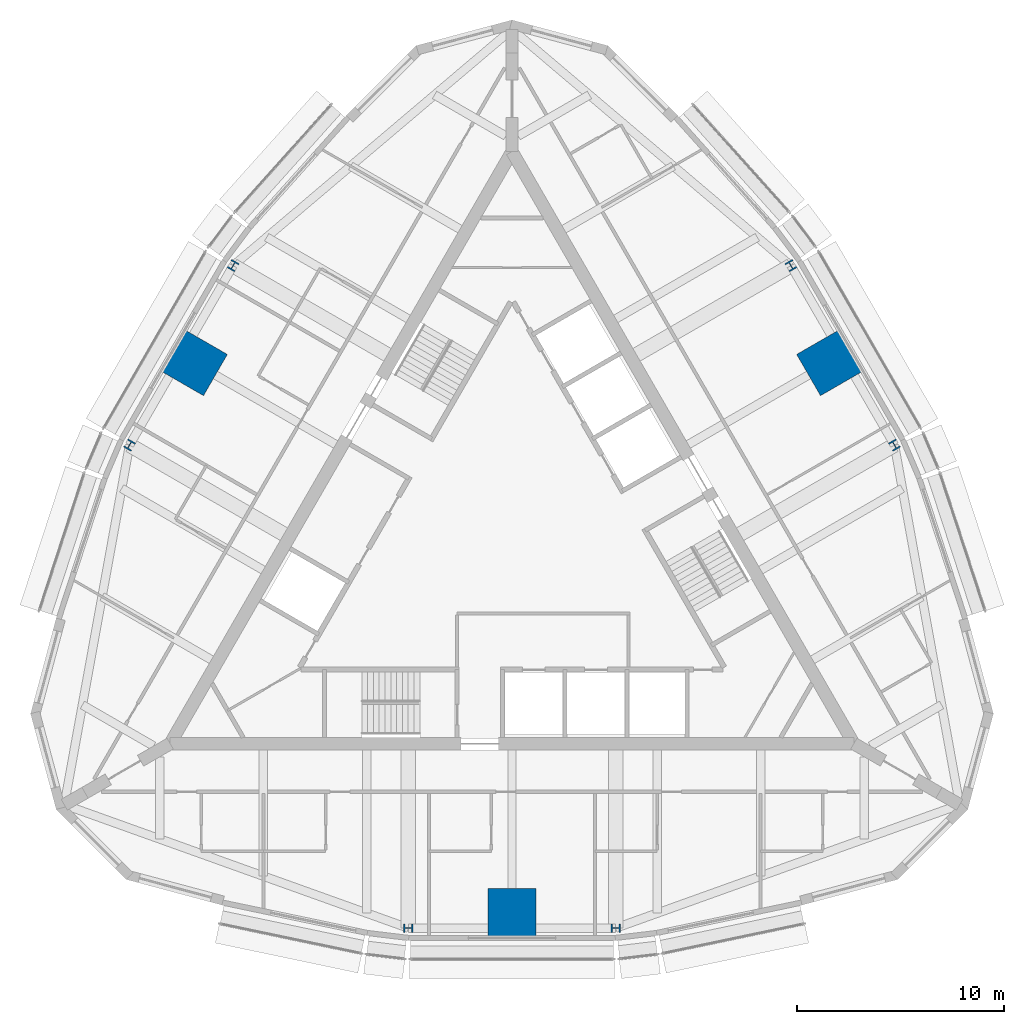
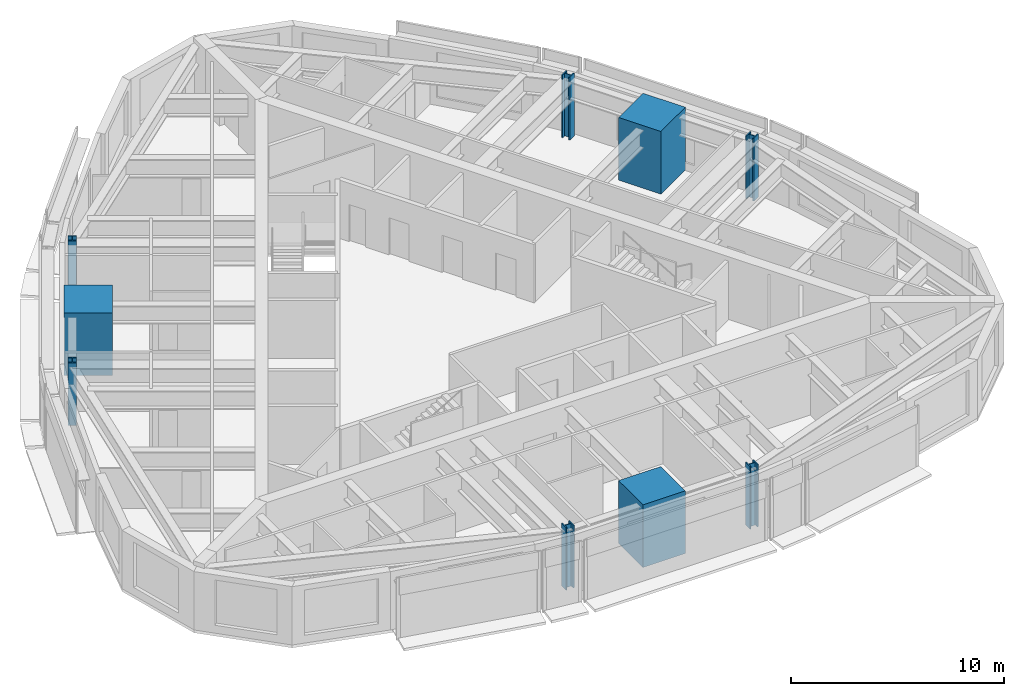
# One storey, part 1 of 12: 9 columns.
"""IFC4 building model written with IfcOpenShell, lengths in metres."""

from ifc_helpers import new_model, si_unit, direction, frame, origin, origin_2d, place, context, subcontext, project, spatial, rectangle, i_section, extrude, material, material_profile, profile_set, type_object, element, save


model = new_model("IFC4")

# Units and contexts
model_context = context("Model", 3, precision=1e-05, world=origin(), true_north=direction((0.0, 1.0)))
body_context = subcontext(model_context, "Body", "Model", "MODEL_VIEW")
ifc_project = project(units=[si_unit("LENGTHUNIT", "METRE"), si_unit("AREAUNIT", "SQUARE_METRE"), si_unit("VOLUMEUNIT", "CUBIC_METRE"), si_unit("PLANEANGLEUNIT", "RADIAN"), si_unit("MASSUNIT", "GRAM", prefix="KILO")], contexts=[model_context])

# Site, building, storey
site_placement = place(None, origin())
site = spatial("IfcSite", under=ifc_project, at=site_placement, CompositionType="ELEMENT")
building_placement = place(site_placement, origin())
building = spatial("IfcBuilding", under=site, at=building_placement, Name="Trikona Tower", CompositionType="ELEMENT")
storey_placement = place(building_placement, frame((0.0, 0.0, 271.699951171875)))
storey = spatial("IfcBuildingStorey", under=building, at=storey_placement, Name="L72", CompositionType="ELEMENT", Elevation=271.699951171875)

# Columns
ifc_material_1 = material(Name="Concrete f'c 10000 psi with encased steel section", Category="concrete")
ifc_material_profile_1 = material_profile(ifc_material_1, rectangle(XDim=2.300048828125, YDim=2.300048828125, at=origin_2d()), Name="MC2300")
ifc_profile_set_1 = profile_set([ifc_material_profile_1], Name="Concrete f'c 10000 psi with encased steel section")
column_type_1 = type_object("IfcColumnType", Name="Composite mega column 2300x2300", PredefinedType="COLUMN", material=ifc_profile_set_1)
for number, where, z_axis, x_axis, name in (
    (1, (0.0, -17.680419921875, 0.0), (0.0, 0.0, 1.0), (0.0, -1.0, 0.0), "Mega column MC1"),
    (2, (15.311767578125, 8.84033203125, 0.0), (0.0, 0.0, 1.0), (0.866025403784, 0.5, 0.0), "Mega column MC2"),
    (3, (-15.311767578125, 8.84033203125, 0.0), (0.0, 0.0, 1.0), (-0.866025403784, 0.5, 0.0), "Mega column MC3"),
):
    element("IfcColumn", number, at=place(storey_placement, frame(where, z_axis=z_axis, x_axis=x_axis)), inside=storey, type_object=column_type_1, Name=name, PredefinedType="COLUMN", context=body_context, shape_type="SweptSolid", body=[
        extrude(rectangle(XDim=2.300048828125, YDim=2.300048828125, at=origin_2d()), origin(), (0.0, 0.0, 1.0), 3.60009765625),
    ])
ifc_material_2 = material(Name="Steel ASTM A992 Grade 50", Category="steel")
ifc_material_profile_2 = material_profile(ifc_material_2, i_section(OverallWidth=0.419189453125, OverallDepth=0.45458984375, WebThickness=0.042236328125, FlangeThickness=0.067626953125, at=origin_2d()), Name="W14X370")
ifc_profile_set_2 = profile_set([ifc_material_profile_2], Name="Steel ASTM A992 Grade 50")
column_type_2 = type_object("IfcColumnType", Name="Steel column W14x370", PredefinedType="COLUMN", material=ifc_profile_set_2)
for number, where, z_axis, x_axis, name in (
    (4, (-5.0, -18.430419921875, 0.0), (0.0, 0.0, 1.0), (0.0, -1.0, 0.0), "Column F0m5"),
    (5, (5.0, -18.430419921875, 0.0), (0.0, 0.0, 1.0), (0.0, -1.0, 0.0), "Column F0p5"),
    (6, (18.461181640625, 4.885009765625, 0.0), (0.0, 0.0, 1.0), (0.866025403784, 0.5, 0.0), "Column F1m5"),
    (7, (13.461181640625, 13.54541015625, 0.0), (0.0, 0.0, 1.0), (0.866025403784, 0.5, 0.0), "Column F1p5"),
    (8, (-13.461181640625, 13.54541015625, 0.0), (0.0, 0.0, 1.0), (-0.866025403784, 0.5, 0.0), "Column F2m5"),
    (9, (-18.461181640625, 4.885009765625, 0.0), (0.0, 0.0, 1.0), (-0.866025403784, 0.5, 0.0), "Column F2p5"),
):
    element("IfcColumn", number, at=place(storey_placement, frame(where, z_axis=z_axis, x_axis=x_axis)), inside=storey, type_object=column_type_2, Name=name, PredefinedType="COLUMN", context=body_context, shape_type="SweptSolid", body=[
        extrude(i_section(OverallWidth=0.419189453125, OverallDepth=0.45458984375, WebThickness=0.042236328125, FlangeThickness=0.067626953125, at=origin_2d()), origin(), (0.0, 0.0, 1.0), 3.60009765625),
    ])

save(model, "model.ifc")
